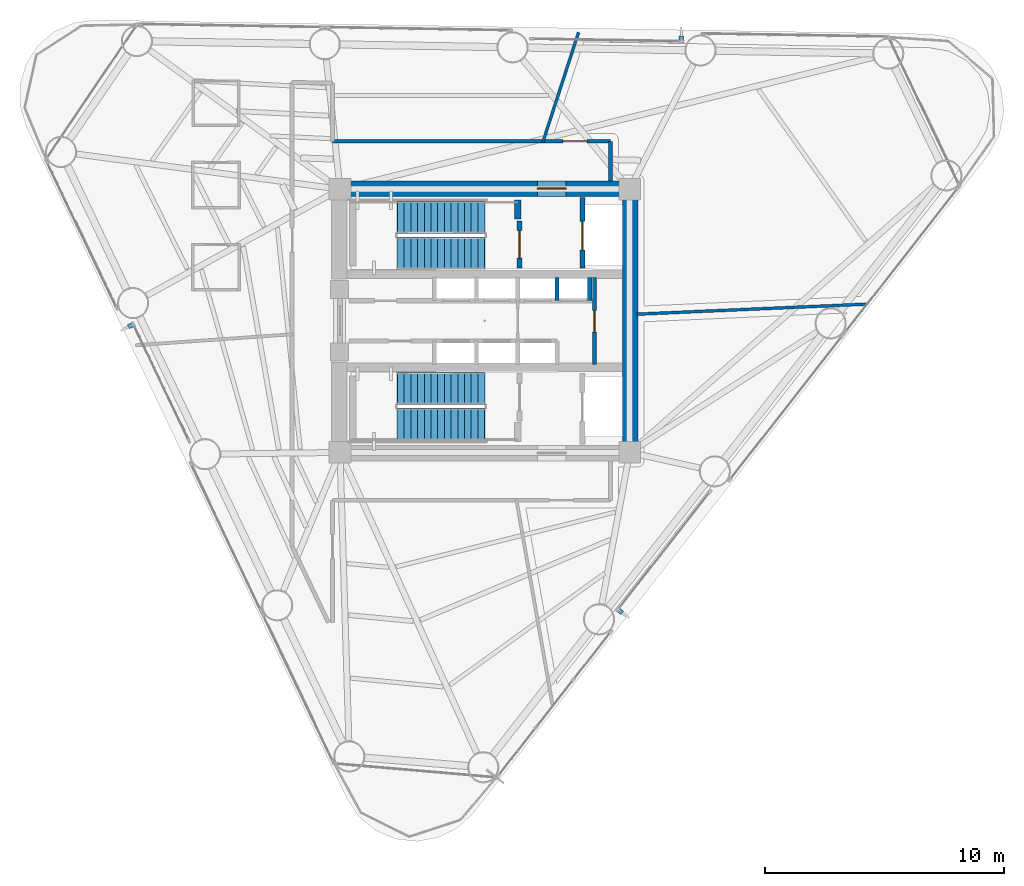
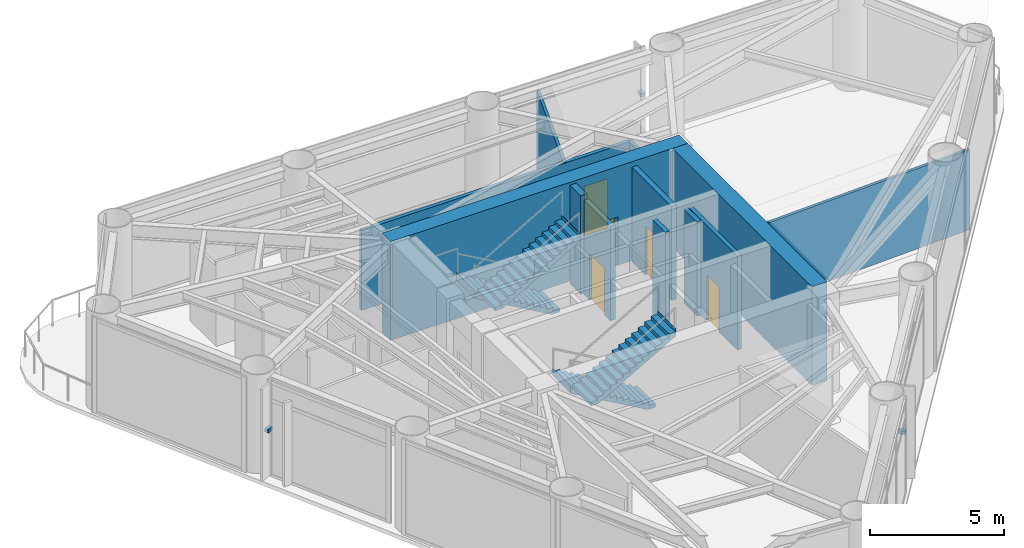
# One storey, part 7 of 11: 12 walls, 5 doors, 4 stair flights, 3 discrete accessories, 5 openings, 2 elements without a shape of their own.
"""IFC4 building model written with IfcOpenShell, lengths in metres."""

from ifc_helpers import new_model, si_unit, direction, frame, frame_2d, origin, origin_2d, place, context, subcontext, project, spatial, polyline, rectangle, outline, extrude, source, transform, mapped, material, layer, layer_set, type_object, element, fill, aggregate, save


model = new_model("IFC4")

# Units and contexts
model_context = context("Model", 3, precision=1e-05, world=origin(), true_north=direction((0.0, 1.0)))
body_context = subcontext(model_context, "Body", "Model", "MODEL_VIEW")
ifc_project = project(units=[si_unit("LENGTHUNIT", "METRE"), si_unit("AREAUNIT", "SQUARE_METRE"), si_unit("VOLUMEUNIT", "CUBIC_METRE"), si_unit("PLANEANGLEUNIT", "RADIAN"), si_unit("MASSUNIT", "GRAM", prefix="KILO")], contexts=[model_context])

# Site, building, storey
site_placement = place(None, origin())
site = spatial("IfcSite", under=ifc_project, at=site_placement, CompositionType="ELEMENT")
building_placement = place(site_placement, origin())
building = spatial("IfcBuilding", under=site, at=building_placement, Name="Yunling Apex Tower", CompositionType="ELEMENT")
storey_placement = place(building_placement, frame((0.0, 0.0, 125.0)))
storey = spatial("IfcBuildingStorey", under=building, at=storey_placement, Name="L30", CompositionType="ELEMENT", Elevation=125.0)

# Wall, opening, door
ifc_material_1 = material(Name="Concrete C50", Category="concrete")
ifc_layer_1 = layer(ifc_material_1, 0.64990234375)
ifc_layer_set_1 = layer_set([ifc_layer_1], Name="Concrete C50")
wall_type_1 = type_object("IfcWallType", Name="WL-COR-2", PredefinedType="SHEAR", material=ifc_layer_set_1)
wall_1_placement = place(storey_placement, frame((-6.39990234375, 5.52490234375, 0.0), z_axis=(0.0, 0.0, 1.0), x_axis=(1.0, 0.0, 0.0)))
wall_1 = element("IfcWall", 1, at=wall_1_placement, inside=storey, type_object=wall_type_1, Name="L30 North Core Shear Wall", PredefinedType="SHEAR", context=body_context, shape_type="SweptSolid", body=[
    extrude(rectangle(XDim=12.7998046875, YDim=0.64990234375, at=frame_2d((6.39990234375, 0.0))), origin(), (0.0, 0.0, 1.0), 4.5),
])
opening_1_placement = place(wall_1_placement, frame((8.60009765625, 0.0, 0.0)))
opening_1 = element("IfcOpeningElement", 2, at=opening_1_placement, cuts=wall_1, Name="Opening DR-FFL-1", PredefinedType="OPENING", context=body_context, shape_type="SweptSolid", body=[
    extrude(rectangle(XDim=1.199951171875, YDim=2.199951171875, at=frame_2d((0.60009765625, 1.10009765625))), frame((0.0, 0.3349609375, 0.0), z_axis=(0.0, -1.0, 0.0), x_axis=(1.0, 0.0, 0.0)), (0.0, 0.0, 1.0), 0.669921875),
])
ifc_material_2 = material(Name="Steel Q355B", Category="steel")
door_type_1 = type_object("IfcDoorType", Name="DR-FFL-1", OperationType="NOTDEFINED", PredefinedType="DOOR", material=ifc_material_2)
door_1_placement = place(opening_1_placement, origin())
door_1 = element("IfcDoor", 3, at=door_1_placement, inside=storey, type_object=door_type_1, Name="L30 North Firefighting Lobby Door", OperationType="SINGLE_SWING_LEFT", OverallHeight=2.199951171875, OverallWidth=1.199951171875, PredefinedType="DOOR", context=body_context, shape_type="SweptSolid", body=[
    extrude(rectangle(XDim=1.199951171875, YDim=2.199951171875, at=frame_2d((0.60009765625, 1.10009765625))), frame((0.0, 0.02490234375, 0.0), z_axis=(0.0, -1.0, 0.0), x_axis=(1.0, 0.0, 0.0)), (0.0, 0.0, 1.0), 0.050048828125),
])
fill(opening_1, door_1)

# Walls
wall_2_placement = place(storey_placement, frame((6.074951171875, -5.199951171875, 0.0), z_axis=(0.0, 0.0, 1.0), x_axis=(0.0, 1.0, 0.0)))
element("IfcWall", 4, at=wall_2_placement, inside=storey, type_object=wall_type_1, Name="L30 East Core Shear Wall", PredefinedType="SHEAR", context=body_context, shape_type="SweptSolid", body=[
    extrude(rectangle(XDim=10.39990234375, YDim=0.64990234375, at=frame_2d((5.199951171875, 0.0))), origin(), (0.0, 0.0, 1.0), 4.5),
])
ifc_material_3 = material(Name="Concrete C40", Category="concrete")
ifc_layer_2 = layer(ifc_material_3, 0.280029296875)
ifc_layer_set_2 = layer_set([ifc_layer_2], Name="Concrete C40")
wall_type_2 = type_object("IfcWallType", Name="WL-COR-8", PredefinedType="SHEAR", material=ifc_layer_set_2)
wall_3_placement = place(storey_placement, frame((1.3798828125, 4.25, 0.0), z_axis=(0.0, 0.0, 1.0), x_axis=(0.0, 1.0, 0.0)))
element("IfcWall", 5, at=wall_3_placement, inside=storey, type_object=wall_type_2, Name="L30 ST-1 East Landing Bearing Pier", PredefinedType="SHEAR", context=body_context, shape_type="SweptSolid", body=[
    extrude(rectangle(XDim=0.800048828125, YDim=0.280029296875, at=frame_2d((0.39990234375, 0.0))), origin(), (0.0, 0.0, 1.0), 4.5),
])

# Wall, opening, door
ifc_material_4 = material(Name="Gypsum board acoustic partition")
ifc_layer_3 = layer(ifc_material_4, 0.159912109375)
ifc_layer_set_3 = layer_set([ifc_layer_3], Name="Gypsum board acoustic partition")
wall_type_3 = type_object("IfcWallType", Name="WL-PRT-1", PredefinedType="PARTITIONING", material=ifc_layer_set_3)
wall_4_placement = place(storey_placement, frame((-6.360107421875, 7.5, 0.0), z_axis=(0.0, 0.0, 1.0), x_axis=(1.0, 0.0, 0.0)))
wall_4 = element("IfcWall", 6, at=wall_4_placement, inside=storey, type_object=wall_type_3, Name="WL-CORR-L30-08", PredefinedType="PARTITIONING", context=body_context, shape_type="SweptSolid", body=[
    extrude(rectangle(XDim=11.610107421875, YDim=0.159912109375, at=frame_2d((5.80517578125, 0.0))), origin(), (0.0, 0.0, 1.0), 3.655029296875),
])
opening_2_placement = place(wall_4_placement, frame((9.62451171875, 0.0, 0.0)))
opening_2 = element("IfcOpeningElement", 7, at=opening_2_placement, cuts=wall_4, Name="Opening DR-OFF-1", PredefinedType="OPENING", context=body_context, shape_type="SweptSolid", body=[
    extrude(rectangle(XDim=1.0, YDim=2.25, at=frame_2d((0.5, 1.125))), frame((0.0, 0.08984375, 0.0), z_axis=(0.0, -1.0, 0.0), x_axis=(1.0, 0.0, 0.0)), (0.0, 0.0, 1.0), 0.179931640625),
])
ifc_material_5 = material(Name="Bronze anodised aluminium", Category="aluminium")
door_type_2 = type_object("IfcDoorType", Name="DR-OFF-1", OperationType="NOTDEFINED", PredefinedType="DOOR", material=ifc_material_5)
door_2_placement = place(opening_2_placement, origin())
door_2 = element("IfcDoor", 8, at=door_2_placement, inside=storey, type_object=door_type_2, Name="L30 Sky Dining Kitchen Door", OperationType="SINGLE_SWING_RIGHT", OverallHeight=2.25, OverallWidth=1.0, PredefinedType="DOOR", context=body_context, shape_type="SweptSolid", body=[
    extrude(rectangle(XDim=1.0, YDim=2.25, at=frame_2d((0.5, 1.125))), frame((0.0, 0.02490234375, 0.0), z_axis=(0.0, -1.0, 0.0), x_axis=(1.0, 0.0, 0.0)), (0.0, 0.0, 1.0), 0.050048828125),
])
fill(opening_2, door_2)

# Walls
wall_5_placement = place(storey_placement, frame((5.25, 7.5, 0.0), z_axis=(0.0, 0.0, 1.0), x_axis=(0.0, -1.0, 0.0)))
element("IfcWall", 9, at=wall_5_placement, inside=storey, type_object=wall_type_3, Name="WL-CORR-L30-09", PredefinedType="PARTITIONING", context=body_context, shape_type="SweptSolid", body=[
    extrude(rectangle(XDim=1.64990234375, YDim=0.159912109375, at=frame_2d((0.824951171875, 0.0))), origin(), (0.0, 0.0, 1.0), 3.655029296875),
])
ifc_layer_4 = layer(ifc_material_4, 0.1201171875)
ifc_layer_set_4 = layer_set([ifc_layer_4], Name="Gypsum board acoustic partition")
wall_type_4 = type_object("IfcWallType", Name="WL-PRT-3", PredefinedType="PARTITIONING", material=ifc_layer_set_4)
wall_6_placement = place(storey_placement, frame((6.360107421875, 0.277587890625, 0.0), z_axis=(0.0, 0.0, 1.0), x_axis=(0.999047913846, 0.043626435113, 0.0)))
element("IfcWall", 10, at=wall_6_placement, inside=storey, type_object=wall_type_4, Name="WL-RAD-L30-01", PredefinedType="PARTITIONING", context=body_context, shape_type="SweptSolid", body=[
    extrude(rectangle(XDim=9.574951171875, YDim=0.1201171875, at=frame_2d((4.78759765625, 0.0))), origin(), (0.0, 0.0, 1.0), 3.655029296875),
])
wall_7_placement = place(storey_placement, frame((2.423828125, 7.4599609375, 0.0), z_axis=(0.0, 0.0, 1.0), x_axis=(0.309026602798, 0.951053394275, 0.0)))
element("IfcWall", 11, at=wall_7_placement, inside=storey, type_object=wall_type_4, Name="WL-RAD-L30-02", PredefinedType="PARTITIONING", context=body_context, shape_type="SweptSolid", body=[
    extrude(rectangle(XDim=4.8271484375, YDim=0.1201171875, at=frame_2d((2.41357421875, 0.0))), origin(), (0.0, 0.0, 1.0), 3.655029296875),
])

# Wall, opening, door
ifc_material_6 = material(Name="Autoclaved aerated concrete masonry", Category="masonry")
ifc_layer_5 = layer(ifc_material_6, 0.219970703125)
ifc_layer_set_5 = layer_set([ifc_layer_5], Name="Autoclaved aerated concrete masonry")
wall_type_5 = type_object("IfcWallType", Name="WL-SHF-1", PredefinedType="PLUMBINGWALL", material=ifc_layer_set_5)
wall_8_placement = place(storey_placement, frame((1.449951171875, 2.199951171875, 0.0), z_axis=(0.0, 0.0, 1.0), x_axis=(0.0, 1.0, 0.0)))
wall_8 = element("IfcWall", 12, at=wall_8_placement, inside=storey, type_object=wall_type_5, Name="WL-ST1-E-L30", PredefinedType="PLUMBINGWALL", context=body_context, shape_type="SweptSolid", body=[
    extrude(rectangle(XDim=1.97998046875, YDim=0.219970703125, at=frame_2d((0.989990234375, 0.0))), origin(), (0.0, 0.0, 1.0), 4.300048828125),
])
opening_3_placement = place(wall_8_placement, frame((0.419921875, 0.0, 0.0)))
opening_3 = element("IfcOpeningElement", 13, at=opening_3_placement, cuts=wall_8, Name="Opening DR-ST-1", PredefinedType="OPENING", context=body_context, shape_type="SweptSolid", body=[
    extrude(rectangle(XDim=1.14990234375, YDim=2.14990234375, at=frame_2d((0.574951171875, 1.074951171875))), frame((0.0, 0.1201171875, 0.0), z_axis=(0.0, -1.0, 0.0), x_axis=(1.0, 0.0, 0.0)), (0.0, 0.0, 1.0), 0.239990234375),
])
door_type_3 = type_object("IfcDoorType", Name="DR-ST-1", OperationType="NOTDEFINED", PredefinedType="DOOR", material=ifc_material_2)
door_3_placement = place(opening_3_placement, origin())
door_3 = element("IfcDoor", 14, at=door_3_placement, inside=storey, type_object=door_type_3, Name="L30 Stair ST-1 Fire Door", OperationType="SINGLE_SWING_LEFT", OverallHeight=2.14990234375, OverallWidth=1.14990234375, PredefinedType="DOOR", context=body_context, shape_type="SweptSolid", body=[
    extrude(rectangle(XDim=1.14990234375, YDim=2.14990234375, at=frame_2d((0.574951171875, 1.074951171875))), frame((0.0, 0.02490234375, 0.0), z_axis=(0.0, -1.0, 0.0), x_axis=(1.0, 0.0, 0.0)), (0.0, 0.0, 1.0), 0.050048828125),
])
fill(opening_3, door_3)

wall_9_placement = place(storey_placement, frame((4.080078125, 2.199951171875, 0.0), z_axis=(0.0, 0.0, 1.0), x_axis=(0.0, 1.0, 0.0)))
wall_9 = element("IfcWall", 15, at=wall_9_placement, inside=storey, type_object=wall_type_5, Name="WL-FFL1-W-L30", PredefinedType="PLUMBINGWALL", context=body_context, shape_type="SweptSolid", body=[
    extrude(rectangle(XDim=2.949951171875, YDim=0.219970703125, at=frame_2d((1.47509765625, 0.0))), origin(), (0.0, 0.0, 1.0), 4.300048828125),
])
opening_4_placement = place(wall_9_placement, frame((0.75, 0.0, 0.0)))
opening_4 = element("IfcOpeningElement", 16, at=opening_4_placement, cuts=wall_9, Name="Opening LD-FFL-1", PredefinedType="OPENING", context=body_context, shape_type="SweptSolid", body=[
    extrude(rectangle(XDim=1.199951171875, YDim=2.25, at=frame_2d((0.60009765625, 1.125))), frame((0.0, 0.1201171875, 0.0), z_axis=(0.0, -1.0, 0.0), x_axis=(1.0, 0.0, 0.0)), (0.0, 0.0, 1.0), 0.239990234375),
])
door_type_4 = type_object("IfcDoorType", Name="LD-FFL-1", OperationType="DOUBLE_DOOR_SLIDING", PredefinedType="DOOR", material=ifc_material_2)
door_4_placement = place(opening_4_placement, origin())
door_4 = element("IfcDoor", 17, at=door_4_placement, inside=storey, type_object=door_type_4, Name="L30 Lift FFL-1 Landing Door", OperationType="DOUBLE_DOOR_SLIDING", OverallHeight=2.25, OverallWidth=1.199951171875, PredefinedType="DOOR", context=body_context, shape_type="SweptSolid", body=[
    extrude(rectangle(XDim=1.199951171875, YDim=2.25, at=frame_2d((0.60009765625, 1.125))), frame((0.0, 0.02490234375, 0.0), z_axis=(0.0, -1.0, 0.0), x_axis=(1.0, 0.0, 0.0)), (0.0, 0.0, 1.0), 0.050048828125),
])
fill(opening_4, door_4)

# Walls
ifc_layer_6 = layer(ifc_material_6, 0.179931640625)
ifc_layer_set_6 = layer_set([ifc_layer_6], Name="Autoclaved aerated concrete masonry")
wall_type_6 = type_object("IfcWallType", Name="WL-SHF-2", PredefinedType="PLUMBINGWALL", material=ifc_layer_set_6)
for number, where, z_axis, x_axis, name in (
    (18, (3.02001953125, 0.840087890625, 0.0), (0.0, 0.0, 1.0), (0.0, 1.0, 0.0), "WL-DIV-H13-L30"),
    (19, (4.3798828125, 0.840087890625, 0.0), (0.0, 0.0, 1.0), (0.0, 1.0, 0.0), "WL-END-H3E-L30"),
):
    element("IfcWall", number, at=place(storey_placement, frame(where, z_axis=z_axis, x_axis=x_axis)), inside=storey, type_object=wall_type_6, Name=name, PredefinedType="PLUMBINGWALL", context=body_context, shape_type="SweptSolid", body=[
        extrude(rectangle(XDim=0.97998046875, YDim=0.179931640625, at=frame_2d((0.489990234375, 0.0))), origin(), (0.0, 0.0, 1.0), 4.300048828125),
    ])

# Wall, opening, door
wall_10_placement = place(storey_placement, frame((4.580078125, -1.820068359375, 0.0), z_axis=(0.0, 0.0, 1.0), x_axis=(0.0, 1.0, 0.0)))
wall_10 = element("IfcWall", 20, at=wall_10_placement, inside=storey, type_object=wall_type_6, Name="WL-KBE-W-L30", PredefinedType="PLUMBINGWALL", context=body_context, shape_type="SweptSolid", body=[
    extrude(rectangle(XDim=3.64013671875, YDim=0.179931640625, at=frame_2d((1.820068359375, 0.0))), origin(), (0.0, 0.0, 1.0), 4.300048828125),
])
opening_5_placement = place(wall_10_placement, frame((1.35009765625, 0.0, 0.0)))
opening_5 = element("IfcOpeningElement", 21, at=opening_5_placement, cuts=wall_10, Name="Opening DR-SHF-1", PredefinedType="OPENING", context=body_context, shape_type="SweptSolid", body=[
    extrude(rectangle(XDim=0.89990234375, YDim=2.050048828125, at=frame_2d((0.449951171875, 1.02490234375))), frame((0.0, 0.10009765625, 0.0), z_axis=(0.0, -1.0, 0.0), x_axis=(1.0, 0.0, 0.0)), (0.0, 0.0, 1.0), 0.199951171875),
])
door_type_5 = type_object("IfcDoorType", Name="DR-SHF-1", OperationType="NOTDEFINED", PredefinedType="DOOR", material=ifc_material_2)
door_5_placement = place(opening_5_placement, origin())
door_5 = element("IfcDoor", 22, at=door_5_placement, inside=storey, type_object=door_type_5, Name="L30 Core Meter Room Door", OperationType="SINGLE_SWING_RIGHT", OverallHeight=2.050048828125, OverallWidth=0.89990234375, PredefinedType="DOOR", context=body_context, shape_type="SweptSolid", body=[
    extrude(rectangle(XDim=0.89990234375, YDim=2.050048828125, at=frame_2d((0.449951171875, 1.02490234375))), frame((0.0, 0.02490234375, 0.0), z_axis=(0.0, -1.0, 0.0), x_axis=(1.0, 0.0, 0.0)), (0.0, 0.0, 1.0), 0.050048828125),
])
fill(opening_5, door_5)

# Stair, stair flights
stair_type = type_object("IfcStairType", Name="ST-TWR-2", PredefinedType="HALF_TURN_STAIR", material=ifc_material_3)
stair_1_placement = place(storey_placement, origin())
stair_1 = element("IfcStair", 23, at=stair_1_placement, inside=storey, type_object=stair_type, Name="L30 North Core Smokeproof Exit Stair ST-1", PredefinedType="HALF_TURN_STAIR")
stair_flight_type = type_object("IfcStairFlightType", Name="SFL-TWR-2", PredefinedType="STRAIGHT", material=ifc_material_3)
stair_flight_1_placement = place(storey_placement, frame((-0.010009765625, 4.330078125, 0.0), z_axis=(0.0, 0.0, 1.0), x_axis=(-1.0, 0.0, 0.0)))
stair_flight_1 = element("IfcStairFlight", 24, at=stair_flight_1_placement, type_object=stair_flight_type, Name="ST-1 flight 1", NumberOfRisers=14, NumberOfTreads=13, PredefinedType="STRAIGHT", RiserHeight=0.160714286, TreadLength=0.28, context=body_context, shape_type="SweptSolid", body=[
    extrude(outline(polyline([(-0.011962890625, 0.0), (-0.011962890625, 0.16064453125), (0.0, 0.16064453125), (0.280029296875, 0.16064453125), (0.280029296875, 0.321533203125), (0.56005859375, 0.321533203125), (0.56005859375, 0.482177734375), (0.840087890625, 0.482177734375), (0.840087890625, 0.642822265625), (1.1201171875, 0.642822265625), (1.1201171875, 0.803466796875), (1.39990234375, 0.803466796875), (1.39990234375, 0.96435546875), (1.679931640625, 0.96435546875), (1.679931640625, 1.125), (1.9599609375, 1.125), (1.9599609375, 1.28564453125), (2.239990234375, 1.28564453125), (2.239990234375, 1.446533203125), (2.52001953125, 1.446533203125), (2.52001953125, 1.607177734375), (2.800048828125, 1.607177734375), (2.800048828125, 1.767822265625), (3.080078125, 1.767822265625), (3.080078125, 1.928466796875), (3.360107421875, 1.928466796875), (3.360107421875, 2.08935546875), (3.639892578125, 2.08935546875), (3.639892578125, 2.25), (3.652099609375, 2.25), (3.652099609375, 1.90478515625), (0.3212890625, 0.0), (-0.011962890625, 0.0)])), frame((0.0, 0.68017578125, 0.0), z_axis=(0.0, -1.0, 0.0), x_axis=(1.0, 0.0, 0.0)), (0.0, 0.0, 1.0), 1.360107421875),
])
stair_flight_2_placement = place(storey_placement, frame((-3.64990234375, 2.820068359375, 2.25), z_axis=(0.0, 0.0, 1.0), x_axis=(1.0, 0.0, 0.0)))
stair_flight_2 = element("IfcStairFlight", 25, at=stair_flight_2_placement, type_object=stair_flight_type, Name="ST-1 flight 2", NumberOfRisers=14, NumberOfTreads=13, PredefinedType="STRAIGHT", RiserHeight=0.160714286, TreadLength=0.28, context=body_context, shape_type="SweptSolid", body=[
    extrude(outline(polyline([(-0.011962890625, 0.0), (-0.011962890625, 0.16064453125), (0.0, 0.16064453125), (0.280029296875, 0.16064453125), (0.280029296875, 0.321533203125), (0.56005859375, 0.321533203125), (0.56005859375, 0.482177734375), (0.840087890625, 0.482177734375), (0.840087890625, 0.642822265625), (1.1201171875, 0.642822265625), (1.1201171875, 0.803466796875), (1.39990234375, 0.803466796875), (1.39990234375, 0.96435546875), (1.679931640625, 0.96435546875), (1.679931640625, 1.125), (1.9599609375, 1.125), (1.9599609375, 1.28564453125), (2.239990234375, 1.28564453125), (2.239990234375, 1.446533203125), (2.52001953125, 1.446533203125), (2.52001953125, 1.607177734375), (2.800048828125, 1.607177734375), (2.800048828125, 1.767822265625), (3.080078125, 1.767822265625), (3.080078125, 1.928466796875), (3.360107421875, 1.928466796875), (3.360107421875, 2.08935546875), (3.639892578125, 2.08935546875), (3.639892578125, 2.25), (3.652099609375, 2.25), (3.652099609375, 1.90478515625), (0.3212890625, 0.0), (-0.011962890625, 0.0)])), frame((0.0, 0.68017578125, 0.0), z_axis=(0.0, -1.0, 0.0), x_axis=(1.0, 0.0, 0.0)), (0.0, 0.0, 1.0), 1.360107421875),
])
aggregate(stair_1, [stair_flight_1, stair_flight_2])

stair_2_placement = place(storey_placement, origin())
stair_2 = element("IfcStair", 26, at=stair_2_placement, inside=storey, type_object=stair_type, Name="L30 South Core Smokeproof Exit Stair ST-2", PredefinedType="HALF_TURN_STAIR")
stair_flight_3_placement = place(storey_placement, frame((-0.010009765625, -2.820068359375, 0.0), z_axis=(0.0, 0.0, 1.0), x_axis=(-1.0, 0.0, 0.0)))
stair_flight_3 = element("IfcStairFlight", 27, at=stair_flight_3_placement, type_object=stair_flight_type, Name="ST-2 flight 1", NumberOfRisers=14, NumberOfTreads=13, PredefinedType="STRAIGHT", RiserHeight=0.160714286, TreadLength=0.28, context=body_context, shape_type="SweptSolid", body=[
    extrude(outline(polyline([(-0.011962890625, 0.0), (-0.011962890625, 0.16064453125), (0.0, 0.16064453125), (0.280029296875, 0.16064453125), (0.280029296875, 0.321533203125), (0.56005859375, 0.321533203125), (0.56005859375, 0.482177734375), (0.840087890625, 0.482177734375), (0.840087890625, 0.642822265625), (1.1201171875, 0.642822265625), (1.1201171875, 0.803466796875), (1.39990234375, 0.803466796875), (1.39990234375, 0.96435546875), (1.679931640625, 0.96435546875), (1.679931640625, 1.125), (1.9599609375, 1.125), (1.9599609375, 1.28564453125), (2.239990234375, 1.28564453125), (2.239990234375, 1.446533203125), (2.52001953125, 1.446533203125), (2.52001953125, 1.607177734375), (2.800048828125, 1.607177734375), (2.800048828125, 1.767822265625), (3.080078125, 1.767822265625), (3.080078125, 1.928466796875), (3.360107421875, 1.928466796875), (3.360107421875, 2.08935546875), (3.639892578125, 2.08935546875), (3.639892578125, 2.25), (3.652099609375, 2.25), (3.652099609375, 1.90478515625), (0.3212890625, 0.0), (-0.011962890625, 0.0)])), frame((0.0, 0.68017578125, 0.0), z_axis=(0.0, -1.0, 0.0), x_axis=(1.0, 0.0, 0.0)), (0.0, 0.0, 1.0), 1.360107421875),
])
stair_flight_4_placement = place(storey_placement, frame((-3.64990234375, -4.330078125, 2.25), z_axis=(0.0, 0.0, 1.0), x_axis=(1.0, 0.0, 0.0)))
stair_flight_4 = element("IfcStairFlight", 28, at=stair_flight_4_placement, type_object=stair_flight_type, Name="ST-2 flight 2", NumberOfRisers=14, NumberOfTreads=13, PredefinedType="STRAIGHT", RiserHeight=0.160714286, TreadLength=0.28, context=body_context, shape_type="SweptSolid", body=[
    extrude(outline(polyline([(-0.011962890625, 0.0), (-0.011962890625, 0.16064453125), (0.0, 0.16064453125), (0.280029296875, 0.16064453125), (0.280029296875, 0.321533203125), (0.56005859375, 0.321533203125), (0.56005859375, 0.482177734375), (0.840087890625, 0.482177734375), (0.840087890625, 0.642822265625), (1.1201171875, 0.642822265625), (1.1201171875, 0.803466796875), (1.39990234375, 0.803466796875), (1.39990234375, 0.96435546875), (1.679931640625, 0.96435546875), (1.679931640625, 1.125), (1.9599609375, 1.125), (1.9599609375, 1.28564453125), (2.239990234375, 1.28564453125), (2.239990234375, 1.446533203125), (2.52001953125, 1.446533203125), (2.52001953125, 1.607177734375), (2.800048828125, 1.607177734375), (2.800048828125, 1.767822265625), (3.080078125, 1.767822265625), (3.080078125, 1.928466796875), (3.360107421875, 1.928466796875), (3.360107421875, 2.08935546875), (3.639892578125, 2.08935546875), (3.639892578125, 2.25), (3.652099609375, 2.25), (3.652099609375, 1.90478515625), (0.3212890625, 0.0), (-0.011962890625, 0.0)])), frame((0.0, 0.68017578125, 0.0), z_axis=(0.0, -1.0, 0.0), x_axis=(1.0, 0.0, 0.0)), (0.0, 0.0, 1.0), 1.360107421875),
])
aggregate(stair_2, [stair_flight_3, stair_flight_4])

# Discrete accessories
discrete_accessory_type = type_object("IfcDiscreteAccessoryType", Name="BK-FIN-1", PredefinedType="BRACKET", material=ifc_material_2)
shared_shape = source(origin(), body_context, "Body", "SweptSolid", [
    extrude(rectangle(XDim=0.179931640625, YDim=0.260009765625, at=origin_2d()), origin(), (0.0, 0.0, 1.0), 0.159912109375),
])
for number, where, z_axis, x_axis, name in (
    (29, (5.64111328125, -12.12548828125, 2.080078125), (0.0, 0.0, 1.0), (0.616211460536, 0.787580748815, 0.0), "CW-L30-F1-B2-BRK-01-1"),
    (30, (8.2099609375, 11.77880859375, 2.080078125), (0.0, 0.0, 1.0), (-0.999859635577, 0.016754376869, 0.0), "CW-L30-F2-B2-BRK-01-1"),
    (31, (-14.7734375, -0.190673828125, 2.080078125), (0.0, 0.0, 1.0), (0.430511096808, -0.90258528435, 0.0), "CW-L30-F3-B2-BRK-01-1"),
):
    element("IfcDiscreteAccessory", number, at=place(storey_placement, frame(where, z_axis=z_axis, x_axis=x_axis)), inside=storey, type_object=discrete_accessory_type, Name=name, PredefinedType="BRACKET", context=body_context, shape_type="MappedRepresentation", body=[
        mapped(shared_shape, transform((0.0, 0.0, 0.0), scale=1.0)),
    ])

save(model, "model.ifc")
